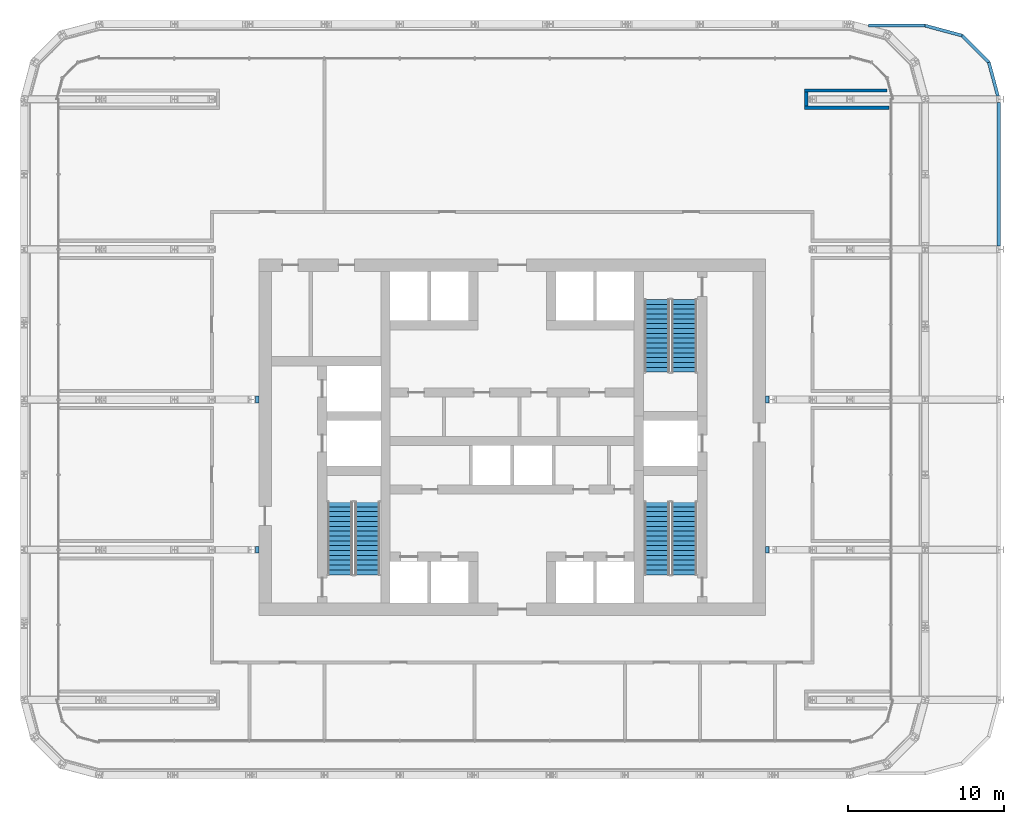
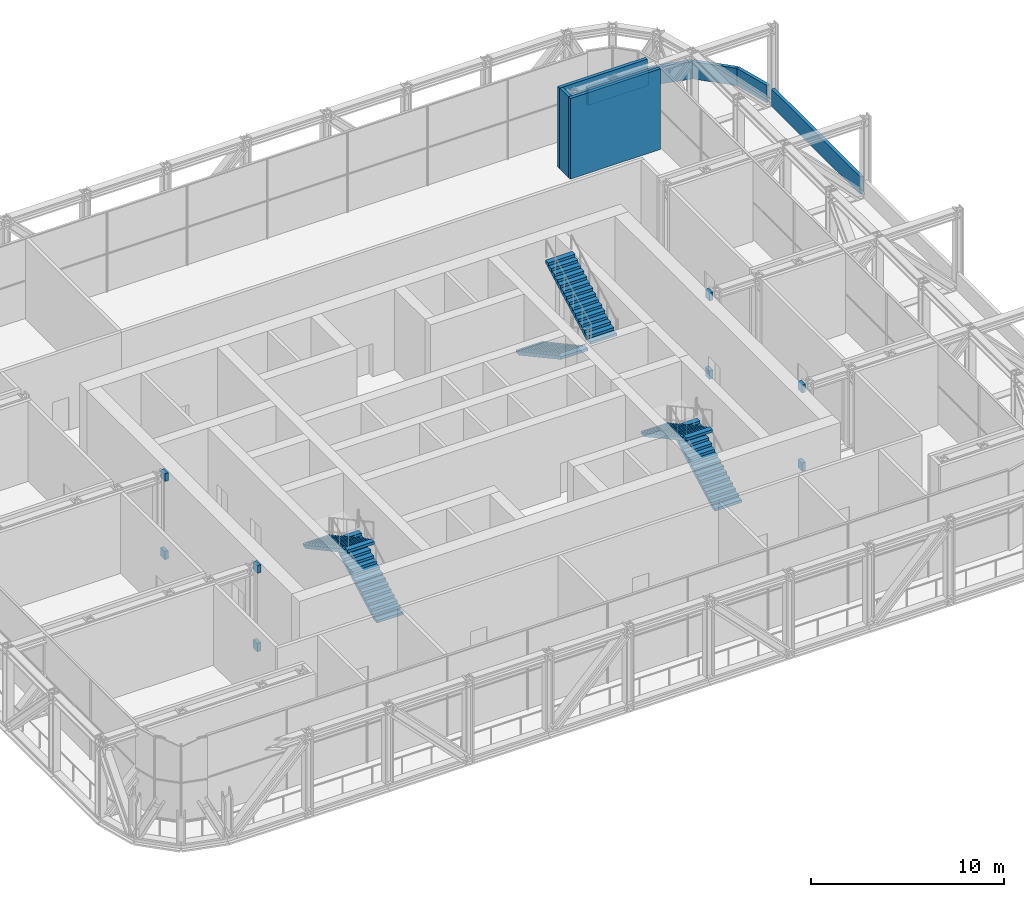
# One storey, part 19 of 25: 8 discrete accessories, 8 walls, 6 stair flights, 3 elements without a shape of their own.
"""IFC4 building model written with IfcOpenShell, lengths in metres."""

from ifc_helpers import new_model, si_unit, direction, frame, frame_2d, origin, origin_2d, place, context, subcontext, project, spatial, polyline, rectangle, outline, extrude, material, layer, layer_set, type_object, element, aggregate, save


model = new_model("IFC4")

# Units and contexts
model_context = context("Model", 3, precision=1e-05, world=origin(), true_north=direction((0.0, 1.0)))
body_context = subcontext(model_context, "Body", "Model", "MODEL_VIEW")
ifc_project = project(units=[si_unit("LENGTHUNIT", "METRE"), si_unit("AREAUNIT", "SQUARE_METRE"), si_unit("VOLUMEUNIT", "CUBIC_METRE"), si_unit("PLANEANGLEUNIT", "RADIAN"), si_unit("MASSUNIT", "GRAM", prefix="KILO")], contexts=[model_context])

# Site, building, storey
site_placement = place(None, origin())
site = spatial("IfcSite", under=ifc_project, at=site_placement, CompositionType="ELEMENT")
building_placement = place(site_placement, origin())
building = spatial("IfcBuilding", under=site, at=building_placement, Name="Madar Terraces", CompositionType="ELEMENT")
storey_placement = place(building_placement, frame((0.0, 0.0, 113.699951171875)))
storey = spatial("IfcBuildingStorey", under=building, at=storey_placement, Name="L29", CompositionType="ELEMENT", Elevation=113.699951171875)

# Walls
ifc_material_1 = material(Name="Gypsum board partition on metal studs")
ifc_layer_1 = layer(ifc_material_1, 0.199951171875)
ifc_layer_set_1 = layer_set([ifc_layer_1], Name="Partition 200 plain")
wall_type_1 = type_object("IfcWallType", Name="Partition 200 plain", PredefinedType="PARTITIONING", material=ifc_layer_set_1)
wall_1_placement = place(storey_placement, frame((49.89990234375, 47.449951171875, 0.0), z_axis=(0.0, 0.0, 1.0), x_axis=(1.0, 0.0, 0.0)))
element("IfcWall", 1, at=wall_1_placement, inside=storey, type_object=wall_type_1, Name="Wall REFUGE AREA R2 / TRUSS SLOT", PredefinedType="PARTITIONING", context=body_context, shape_type="SweptSolid", body=[
    extrude(rectangle(XDim=5.400146484375, YDim=0.199951171875, at=frame_2d((2.7001953125, 0.0))), origin(), (0.0, 0.0, 1.0), 5.10009765625),
])
wall_2_placement = place(storey_placement, frame((49.89990234375, 48.550048828125, 0.0), z_axis=(0.0, 0.0, 1.0), x_axis=(1.0, 0.0, 0.0)))
element("IfcWall", 2, at=wall_2_placement, inside=storey, type_object=wall_type_1, Name="Wall REFUGE AREA R2 / TRUSS SLOT", PredefinedType="PARTITIONING", context=body_context, shape_type="SweptSolid", body=[
    extrude(rectangle(XDim=5.25, YDim=0.199951171875, at=frame_2d((2.625, 0.0))), origin(), (0.0, 0.0, 1.0), 5.10009765625),
])
wall_3_placement = place(storey_placement, frame((50.0, 47.550048828125, 0.0), z_axis=(0.0, 0.0, 1.0), x_axis=(0.0, 1.0, 0.0)))
element("IfcWall", 3, at=wall_3_placement, inside=storey, type_object=wall_type_1, Name="Wall REFUGE AREA R2 / TRUSS SLOT", PredefinedType="PARTITIONING", context=body_context, shape_type="SweptSolid", body=[
    extrude(rectangle(XDim=0.89990234375, YDim=0.199951171875, at=frame_2d((0.449951171875, 0.0))), origin(), (0.0, 0.0, 1.0), 5.10009765625),
])
ifc_material_2 = material(Name="Concrete C40/50", Category="concrete")
ifc_layer_2 = layer(ifc_material_2, 0.199951171875)
ifc_layer_set_2 = layer_set([ifc_layer_2], Name="Roof parapet 200")
wall_type_2 = type_object("IfcWallType", Name="Roof parapet 200", PredefinedType="PARAPET", material=ifc_layer_set_2)
wall_4_placement = place(storey_placement, frame((62.300048828125, 38.60107421875, 0.0400390625), z_axis=(0.0, 0.0, 1.0), x_axis=(0.0, 1.0, 0.0)))
element("IfcWall", 4, at=wall_4_placement, inside=storey, type_object=wall_type_2, Name="Roof parapet", PredefinedType="PARAPET", context=body_context, shape_type="SweptSolid", body=[
    extrude(rectangle(XDim=9.197998046875, YDim=0.199951171875, at=frame_2d((4.59912109375, 0.0))), origin(), (0.0, 0.0, 1.0), 1.10009765625),
])
wall_5_placement = place(storey_placement, frame((62.24609375, 48.200927734375, 0.0400390625), z_axis=(0.0, 0.0, 1.0), x_axis=(-0.25874157005, 0.965946582337, 0.0)))
element("IfcWall", 5, at=wall_5_placement, inside=storey, type_object=wall_type_2, Name="Roof parapet", PredefinedType="PARAPET", context=body_context, shape_type="SweptSolid", body=[
    extrude(rectangle(XDim=2.224853515625, YDim=0.199951171875, at=frame_2d((1.1123046875, 0.0))), origin(), (0.0, 0.0, 1.0), 1.10009765625),
])
for number, where, z_axis, x_axis, name in (
    (6, (61.67041015625, 50.35009765625, 0.0400390625), (0.0, 0.0, 1.0), (-0.707156953733, 0.70705660508, 0.0), "Roof parapet"),
    (7, (59.949951171875, 52.0703125, 0.0400390625), (0.0, 0.0, 1.0), (-0.965926101694, 0.258818017275, 0.0), "Roof parapet"),
):
    element("IfcWall", number, at=place(storey_placement, frame(where, z_axis=z_axis, x_axis=x_axis)), inside=storey, type_object=wall_type_2, Name=name, PredefinedType="PARAPET", context=body_context, shape_type="SweptSolid", body=[
        extrude(rectangle(XDim=2.432861328125, YDim=0.199951171875, at=frame_2d((1.21630859375, 0.0))), origin(), (0.0, 0.0, 1.0), 1.10009765625),
    ])
wall_6_placement = place(storey_placement, frame((57.60009765625, 52.699951171875, 0.0400390625), z_axis=(0.0, 0.0, 1.0), x_axis=(-1.0, 0.0, 0.0)))
element("IfcWall", 8, at=wall_6_placement, inside=storey, type_object=wall_type_2, Name="Roof parapet", PredefinedType="PARAPET", context=body_context, shape_type="SweptSolid", body=[
    extrude(rectangle(XDim=3.615478515625, YDim=0.199951171875, at=frame_2d((1.8076171875, 0.0))), origin(), (0.0, 0.0, 1.0), 1.10009765625),
])

# Stair, stair flights
ifc_material_3 = material(Name="Concrete C50/60", Category="concrete")
stair_type_1 = type_object("IfcStairType", Name="Stair ST1 protected exit", PredefinedType="HALF_TURN_STAIR", material=ifc_material_3)
stair_1_placement = place(storey_placement, origin())
stair_1 = element("IfcStair", 9, at=stair_1_placement, inside=storey, type_object=stair_type_1, Name="L29 Protected Exit Stair ST1", PredefinedType="HALF_TURN_STAIR")
ifc_material_4 = material(Name="Concrete C50/60", Category="concrete")
stair_flight_type_1 = type_object("IfcStairFlightType", Name="Stair flight ST1-F3, 1600 wide, 16 risers", PredefinedType="STRAIGHT", material=ifc_material_4)
stair_flight_1_placement = place(storey_placement, frame((21.949951171875, 17.60009765625, 0.0), z_axis=(0.0, 0.0, 1.0), x_axis=(0.0, 1.0, 0.0)))
stair_flight_1 = element("IfcStairFlight", 10, at=stair_flight_1_placement, type_object=stair_flight_type_1, Name="ST1 flight 1", NumberOfRisers=16, NumberOfTreads=15, PredefinedType="STRAIGHT", RiserHeight=0.16875, TreadLength=0.31, context=body_context, shape_type="SweptSolid", body=[
    extrude(outline(polyline([(0.0, 0.0), (0.0, 0.168701171875), (0.31005859375, 0.168701171875), (0.31005859375, 0.33740234375), (0.6201171875, 0.33740234375), (0.6201171875, 0.50634765625), (0.929931640625, 0.50634765625), (0.929931640625, 0.675048828125), (1.239990234375, 0.675048828125), (1.239990234375, 0.84375), (1.550048828125, 0.84375), (1.550048828125, 1.012451171875), (1.860107421875, 1.012451171875), (1.860107421875, 1.18115234375), (2.169921875, 1.18115234375), (2.169921875, 1.35009765625), (2.47998046875, 1.35009765625), (2.47998046875, 1.518798828125), (2.7900390625, 1.518798828125), (2.7900390625, 1.6875), (3.10009765625, 1.6875), (3.10009765625, 1.856201171875), (3.409912109375, 1.856201171875), (3.409912109375, 2.02490234375), (3.719970703125, 2.02490234375), (3.719970703125, 2.19384765625), (4.030029296875, 2.19384765625), (4.030029296875, 2.362548828125), (4.340087890625, 2.362548828125), (4.340087890625, 2.53125), (4.64990234375, 2.53125), (4.64990234375, 2.699951171875), (4.64990234375, 2.360595703125), (0.3134765625, 0.0), (0.0, 0.0)])), frame((0.0, 0.800048828125, 0.0), z_axis=(0.0, -1.0, 0.0), x_axis=(1.0, 0.0, 0.0)), (0.0, 0.0, 1.0), 1.60009765625),
])
stair_flight_2_placement = place(storey_placement, frame((20.199951171875, 22.25, 2.699951171875), z_axis=(0.0, 0.0, 1.0), x_axis=(0.0, -1.0, 0.0)))
stair_flight_2 = element("IfcStairFlight", 11, at=stair_flight_2_placement, type_object=stair_flight_type_1, Name="ST1 flight 2", NumberOfRisers=16, NumberOfTreads=15, PredefinedType="STRAIGHT", RiserHeight=0.16875, TreadLength=0.31, context=body_context, shape_type="SweptSolid", body=[
    extrude(outline(polyline([(0.0, 0.0), (0.0, 0.168701171875), (0.31005859375, 0.168701171875), (0.31005859375, 0.33740234375), (0.6201171875, 0.33740234375), (0.6201171875, 0.50634765625), (0.929931640625, 0.50634765625), (0.929931640625, 0.675048828125), (1.239990234375, 0.675048828125), (1.239990234375, 0.84375), (1.550048828125, 0.84375), (1.550048828125, 1.012451171875), (1.860107421875, 1.012451171875), (1.860107421875, 1.18115234375), (2.169921875, 1.18115234375), (2.169921875, 1.35009765625), (2.47998046875, 1.35009765625), (2.47998046875, 1.518798828125), (2.7900390625, 1.518798828125), (2.7900390625, 1.6875), (3.10009765625, 1.6875), (3.10009765625, 1.856201171875), (3.409912109375, 1.856201171875), (3.409912109375, 2.02490234375), (3.719970703125, 2.02490234375), (3.719970703125, 2.19384765625), (4.030029296875, 2.19384765625), (4.030029296875, 2.362548828125), (4.340087890625, 2.362548828125), (4.340087890625, 2.53125), (4.64990234375, 2.53125), (4.64990234375, 2.699951171875), (4.64990234375, 2.360595703125), (0.3134765625, 0.0), (0.0, 0.0)])), frame((0.0, 0.800048828125, 0.0), z_axis=(0.0, -1.0, 0.0), x_axis=(1.0, 0.0, 0.0)), (0.0, 0.0, 1.0), 1.60009765625),
])
aggregate(stair_1, [stair_flight_1, stair_flight_2])

ifc_material_5 = material(Name="Concrete C50/60", Category="concrete")
stair_type_2 = type_object("IfcStairType", Name="Stair ST2 protected exit", PredefinedType="HALF_TURN_STAIR", material=ifc_material_5)
stair_2_placement = place(storey_placement, origin())
stair_2 = element("IfcStair", 12, at=stair_2_placement, inside=storey, type_object=stair_type_2, Name="L29 Protected Exit Stair ST2", PredefinedType="HALF_TURN_STAIR")
ifc_material_6 = material(Name="Concrete C50/60", Category="concrete")
stair_flight_type_2 = type_object("IfcStairFlightType", Name="Stair flight ST2-F3, 1600 wide, 16 risers", PredefinedType="STRAIGHT", material=ifc_material_6)
stair_flight_3_placement = place(storey_placement, frame((40.449951171875, 35.199951171875, 0.0), z_axis=(0.0, 0.0, 1.0), x_axis=(0.0, -1.0, 0.0)))
stair_flight_3 = element("IfcStairFlight", 13, at=stair_flight_3_placement, type_object=stair_flight_type_2, Name="ST2 flight 1", NumberOfRisers=16, NumberOfTreads=15, PredefinedType="STRAIGHT", RiserHeight=0.16875, TreadLength=0.31, context=body_context, shape_type="SweptSolid", body=[
    extrude(outline(polyline([(0.0, 0.0), (0.0, 0.168701171875), (0.31005859375, 0.168701171875), (0.31005859375, 0.33740234375), (0.6201171875, 0.33740234375), (0.6201171875, 0.50634765625), (0.929931640625, 0.50634765625), (0.929931640625, 0.675048828125), (1.239990234375, 0.675048828125), (1.239990234375, 0.84375), (1.550048828125, 0.84375), (1.550048828125, 1.012451171875), (1.860107421875, 1.012451171875), (1.860107421875, 1.18115234375), (2.169921875, 1.18115234375), (2.169921875, 1.35009765625), (2.47998046875, 1.35009765625), (2.47998046875, 1.518798828125), (2.7900390625, 1.518798828125), (2.7900390625, 1.6875), (3.10009765625, 1.6875), (3.10009765625, 1.856201171875), (3.409912109375, 1.856201171875), (3.409912109375, 2.02490234375), (3.719970703125, 2.02490234375), (3.719970703125, 2.19384765625), (4.030029296875, 2.19384765625), (4.030029296875, 2.362548828125), (4.340087890625, 2.362548828125), (4.340087890625, 2.53125), (4.64990234375, 2.53125), (4.64990234375, 2.699951171875), (4.64990234375, 2.360595703125), (0.3134765625, 0.0), (0.0, 0.0)])), frame((0.0, 0.800048828125, 0.0), z_axis=(0.0, -1.0, 0.0), x_axis=(1.0, 0.0, 0.0)), (0.0, 0.0, 1.0), 1.60009765625),
])
stair_flight_4_placement = place(storey_placement, frame((42.199951171875, 30.550048828125, 2.699951171875), z_axis=(0.0, 0.0, 1.0), x_axis=(0.0, 1.0, 0.0)))
stair_flight_4 = element("IfcStairFlight", 14, at=stair_flight_4_placement, type_object=stair_flight_type_2, Name="ST2 flight 2", NumberOfRisers=16, NumberOfTreads=15, PredefinedType="STRAIGHT", RiserHeight=0.16875, TreadLength=0.31, context=body_context, shape_type="SweptSolid", body=[
    extrude(outline(polyline([(0.0, 0.0), (0.0, 0.168701171875), (0.31005859375, 0.168701171875), (0.31005859375, 0.33740234375), (0.6201171875, 0.33740234375), (0.6201171875, 0.50634765625), (0.929931640625, 0.50634765625), (0.929931640625, 0.675048828125), (1.239990234375, 0.675048828125), (1.239990234375, 0.84375), (1.550048828125, 0.84375), (1.550048828125, 1.012451171875), (1.860107421875, 1.012451171875), (1.860107421875, 1.18115234375), (2.169921875, 1.18115234375), (2.169921875, 1.35009765625), (2.47998046875, 1.35009765625), (2.47998046875, 1.518798828125), (2.7900390625, 1.518798828125), (2.7900390625, 1.6875), (3.10009765625, 1.6875), (3.10009765625, 1.856201171875), (3.409912109375, 1.856201171875), (3.409912109375, 2.02490234375), (3.719970703125, 2.02490234375), (3.719970703125, 2.19384765625), (4.030029296875, 2.19384765625), (4.030029296875, 2.362548828125), (4.340087890625, 2.362548828125), (4.340087890625, 2.53125), (4.64990234375, 2.53125), (4.64990234375, 2.699951171875), (4.64990234375, 2.360595703125), (0.3134765625, 0.0), (0.0, 0.0)])), frame((0.0, 0.800048828125, 0.0), z_axis=(0.0, -1.0, 0.0), x_axis=(1.0, 0.0, 0.0)), (0.0, 0.0, 1.0), 1.60009765625),
])
aggregate(stair_2, [stair_flight_3, stair_flight_4])

ifc_material_7 = material(Name="Concrete C50/60", Category="concrete")
stair_type_3 = type_object("IfcStairType", Name="Stair ST3 protected exit", PredefinedType="HALF_TURN_STAIR", material=ifc_material_7)
stair_3_placement = place(storey_placement, origin())
stair_3 = element("IfcStair", 15, at=stair_3_placement, inside=storey, type_object=stair_type_3, Name="L29 Protected Exit Stair ST3", PredefinedType="HALF_TURN_STAIR")
ifc_material_8 = material(Name="Concrete C50/60", Category="concrete")
stair_flight_type_3 = type_object("IfcStairFlightType", Name="Stair flight ST3-F3, 1600 wide, 16 risers", PredefinedType="STRAIGHT", material=ifc_material_8)
stair_flight_5_placement = place(storey_placement, frame((42.199951171875, 17.60009765625, 0.0), z_axis=(0.0, 0.0, 1.0), x_axis=(0.0, 1.0, 0.0)))
stair_flight_5 = element("IfcStairFlight", 16, at=stair_flight_5_placement, type_object=stair_flight_type_3, Name="ST3 flight 1", NumberOfRisers=16, NumberOfTreads=15, PredefinedType="STRAIGHT", RiserHeight=0.16875, TreadLength=0.31, context=body_context, shape_type="SweptSolid", body=[
    extrude(outline(polyline([(0.0, 0.0), (0.0, 0.168701171875), (0.31005859375, 0.168701171875), (0.31005859375, 0.33740234375), (0.6201171875, 0.33740234375), (0.6201171875, 0.50634765625), (0.929931640625, 0.50634765625), (0.929931640625, 0.675048828125), (1.239990234375, 0.675048828125), (1.239990234375, 0.84375), (1.550048828125, 0.84375), (1.550048828125, 1.012451171875), (1.860107421875, 1.012451171875), (1.860107421875, 1.18115234375), (2.169921875, 1.18115234375), (2.169921875, 1.35009765625), (2.47998046875, 1.35009765625), (2.47998046875, 1.518798828125), (2.7900390625, 1.518798828125), (2.7900390625, 1.6875), (3.10009765625, 1.6875), (3.10009765625, 1.856201171875), (3.409912109375, 1.856201171875), (3.409912109375, 2.02490234375), (3.719970703125, 2.02490234375), (3.719970703125, 2.19384765625), (4.030029296875, 2.19384765625), (4.030029296875, 2.362548828125), (4.340087890625, 2.362548828125), (4.340087890625, 2.53125), (4.64990234375, 2.53125), (4.64990234375, 2.699951171875), (4.64990234375, 2.360595703125), (0.3134765625, 0.0), (0.0, 0.0)])), frame((0.0, 0.800048828125, 0.0), z_axis=(0.0, -1.0, 0.0), x_axis=(1.0, 0.0, 0.0)), (0.0, 0.0, 1.0), 1.60009765625),
])
stair_flight_6_placement = place(storey_placement, frame((40.449951171875, 22.25, 2.699951171875), z_axis=(0.0, 0.0, 1.0), x_axis=(0.0, -1.0, 0.0)))
stair_flight_6 = element("IfcStairFlight", 17, at=stair_flight_6_placement, type_object=stair_flight_type_3, Name="ST3 flight 2", NumberOfRisers=16, NumberOfTreads=15, PredefinedType="STRAIGHT", RiserHeight=0.16875, TreadLength=0.31, context=body_context, shape_type="SweptSolid", body=[
    extrude(outline(polyline([(0.0, 0.0), (0.0, 0.168701171875), (0.31005859375, 0.168701171875), (0.31005859375, 0.33740234375), (0.6201171875, 0.33740234375), (0.6201171875, 0.50634765625), (0.929931640625, 0.50634765625), (0.929931640625, 0.675048828125), (1.239990234375, 0.675048828125), (1.239990234375, 0.84375), (1.550048828125, 0.84375), (1.550048828125, 1.012451171875), (1.860107421875, 1.012451171875), (1.860107421875, 1.18115234375), (2.169921875, 1.18115234375), (2.169921875, 1.35009765625), (2.47998046875, 1.35009765625), (2.47998046875, 1.518798828125), (2.7900390625, 1.518798828125), (2.7900390625, 1.6875), (3.10009765625, 1.6875), (3.10009765625, 1.856201171875), (3.409912109375, 1.856201171875), (3.409912109375, 2.02490234375), (3.719970703125, 2.02490234375), (3.719970703125, 2.19384765625), (4.030029296875, 2.19384765625), (4.030029296875, 2.362548828125), (4.340087890625, 2.362548828125), (4.340087890625, 2.53125), (4.64990234375, 2.53125), (4.64990234375, 2.699951171875), (4.64990234375, 2.360595703125), (0.3134765625, 0.0), (0.0, 0.0)])), frame((0.0, 0.800048828125, 0.0), z_axis=(0.0, -1.0, 0.0), x_axis=(1.0, 0.0, 0.0)), (0.0, 0.0, 1.0), 1.60009765625),
])
aggregate(stair_3, [stair_flight_5, stair_flight_6])

# Discrete accessories
ifc_material_9 = material(Name="Steel, galvanised", Category="steel")
discrete_accessory_type = type_object("IfcDiscreteAccessoryType", Name="Truss bearing plate", PredefinedType="BRACKET", material=ifc_material_9)
discrete_accessory_1_placement = place(storey_placement, frame((14.893798828125, 19.199951171875, -0.419921875), z_axis=(0.0, 0.0, 1.0), x_axis=(1.0, 0.0, 0.0)))
element("IfcDiscreteAccessory", 18, at=discrete_accessory_1_placement, inside=storey, type_object=discrete_accessory_type, Name="Truss bearing plate bottom", PredefinedType="BRACKET", context=body_context, shape_type="SweptSolid", body=[
    extrude(rectangle(XDim=0.21240234375, YDim=0.44189453125, at=origin_2d()), origin(), (0.0, 0.0, 1.0), 0.53076171875),
])
discrete_accessory_2_placement = place(storey_placement, frame((14.893798828125, 19.199951171875, 4.5322265625), z_axis=(0.0, 0.0, 1.0), x_axis=(1.0, 0.0, 0.0)))
element("IfcDiscreteAccessory", 19, at=discrete_accessory_2_placement, inside=storey, type_object=discrete_accessory_type, Name="Truss bearing plate top", PredefinedType="BRACKET", context=body_context, shape_type="SweptSolid", body=[
    extrude(rectangle(XDim=0.21240234375, YDim=0.431884765625, at=origin_2d()), origin(), (0.0, 0.0, 1.0), 0.497802734375),
])
discrete_accessory_3_placement = place(storey_placement, frame((14.893798828125, 28.800048828125, -0.419921875), z_axis=(0.0, 0.0, 1.0), x_axis=(1.0, 0.0, 0.0)))
element("IfcDiscreteAccessory", 20, at=discrete_accessory_3_placement, inside=storey, type_object=discrete_accessory_type, Name="Truss bearing plate bottom", PredefinedType="BRACKET", context=body_context, shape_type="SweptSolid", body=[
    extrude(rectangle(XDim=0.21240234375, YDim=0.44189453125, at=origin_2d()), origin(), (0.0, 0.0, 1.0), 0.53076171875),
])
discrete_accessory_4_placement = place(storey_placement, frame((14.893798828125, 28.800048828125, 4.5322265625), z_axis=(0.0, 0.0, 1.0), x_axis=(1.0, 0.0, 0.0)))
element("IfcDiscreteAccessory", 21, at=discrete_accessory_4_placement, inside=storey, type_object=discrete_accessory_type, Name="Truss bearing plate top", PredefinedType="BRACKET", context=body_context, shape_type="SweptSolid", body=[
    extrude(rectangle(XDim=0.21240234375, YDim=0.431884765625, at=origin_2d()), origin(), (0.0, 0.0, 1.0), 0.497802734375),
])
discrete_accessory_5_placement = place(storey_placement, frame((47.50634765625, 19.199951171875, -0.419921875), z_axis=(0.0, 0.0, 1.0), x_axis=(1.0, 0.0, 0.0)))
element("IfcDiscreteAccessory", 22, at=discrete_accessory_5_placement, inside=storey, type_object=discrete_accessory_type, Name="Truss bearing plate bottom", PredefinedType="BRACKET", context=body_context, shape_type="SweptSolid", body=[
    extrude(rectangle(XDim=0.21240234375, YDim=0.44189453125, at=origin_2d()), origin(), (0.0, 0.0, 1.0), 0.53076171875),
])
discrete_accessory_6_placement = place(storey_placement, frame((47.50634765625, 19.199951171875, 4.5322265625), z_axis=(0.0, 0.0, 1.0), x_axis=(1.0, 0.0, 0.0)))
element("IfcDiscreteAccessory", 23, at=discrete_accessory_6_placement, inside=storey, type_object=discrete_accessory_type, Name="Truss bearing plate top", PredefinedType="BRACKET", context=body_context, shape_type="SweptSolid", body=[
    extrude(rectangle(XDim=0.21240234375, YDim=0.431884765625, at=origin_2d()), origin(), (0.0, 0.0, 1.0), 0.497802734375),
])
discrete_accessory_7_placement = place(storey_placement, frame((47.50634765625, 28.800048828125, -0.419921875), z_axis=(0.0, 0.0, 1.0), x_axis=(1.0, 0.0, 0.0)))
element("IfcDiscreteAccessory", 24, at=discrete_accessory_7_placement, inside=storey, type_object=discrete_accessory_type, Name="Truss bearing plate bottom", PredefinedType="BRACKET", context=body_context, shape_type="SweptSolid", body=[
    extrude(rectangle(XDim=0.21240234375, YDim=0.44189453125, at=origin_2d()), origin(), (0.0, 0.0, 1.0), 0.53076171875),
])
discrete_accessory_8_placement = place(storey_placement, frame((47.50634765625, 28.800048828125, 4.5322265625), z_axis=(0.0, 0.0, 1.0), x_axis=(1.0, 0.0, 0.0)))
element("IfcDiscreteAccessory", 25, at=discrete_accessory_8_placement, inside=storey, type_object=discrete_accessory_type, Name="Truss bearing plate top", PredefinedType="BRACKET", context=body_context, shape_type="SweptSolid", body=[
    extrude(rectangle(XDim=0.21240234375, YDim=0.431884765625, at=origin_2d()), origin(), (0.0, 0.0, 1.0), 0.497802734375),
])

save(model, "model.ifc")
